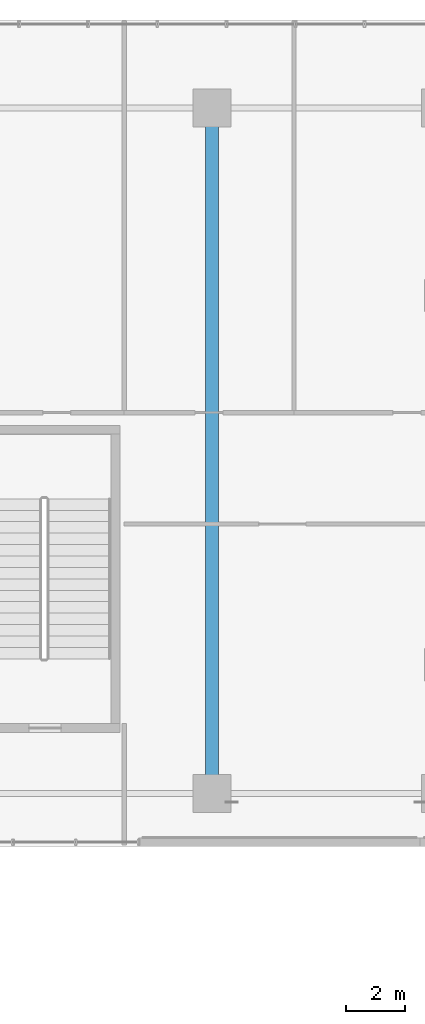
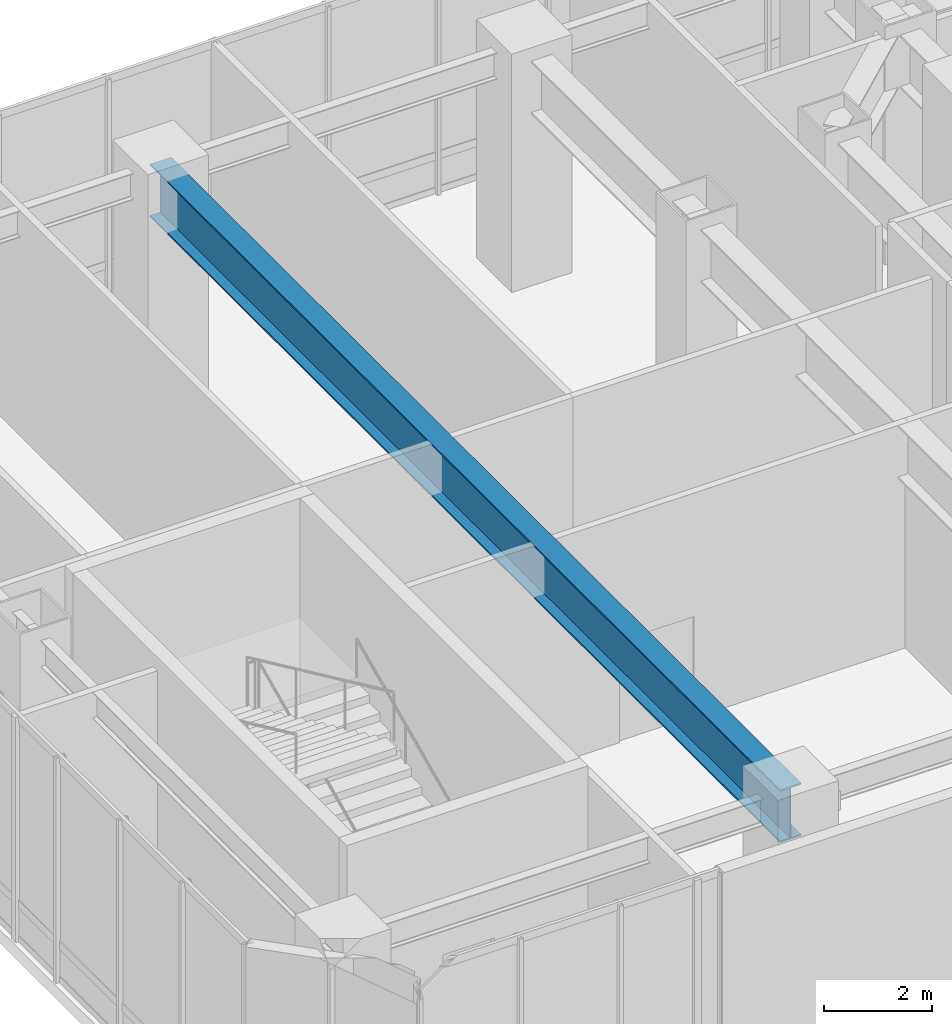
# One storey, part 13 of 35: 1 beam.
"""IFC4 building model written with IfcOpenShell, lengths in metres."""

from ifc_helpers import new_model, si_unit, direction, frame, origin, origin_2d, place, context, subcontext, project, spatial, i_section, extrude, material, material_profile, profile_set, type_object, element, save


model = new_model("IFC4")

# Units and contexts
model_context = context("Model", 3, precision=1e-05, world=origin(), true_north=direction((0.0, 1.0)))
body_context = subcontext(model_context, "Body", "Model", "MODEL_VIEW")
ifc_project = project(units=[si_unit("LENGTHUNIT", "METRE"), si_unit("AREAUNIT", "SQUARE_METRE"), si_unit("VOLUMEUNIT", "CUBIC_METRE"), si_unit("PLANEANGLEUNIT", "RADIAN"), si_unit("MASSUNIT", "GRAM", prefix="KILO")], contexts=[model_context])

# Site, building, storey
site_placement = place(None, origin())
site = spatial("IfcSite", under=ifc_project, at=site_placement, CompositionType="ELEMENT")
building_placement = place(site_placement, origin())
building = spatial("IfcBuilding", under=site, at=building_placement, Name="Hatsunagi Terrace Concourse", CompositionType="ELEMENT")
storey_placement = place(building_placement, frame((0.0, 0.0, 16.199951171875)))
storey = spatial("IfcBuildingStorey", under=building, at=storey_placement, Name="L04", CompositionType="ELEMENT", Elevation=16.199951171875)

# Beam
ifc_material = material(Name="Steel SN490B", Category="steel")
ifc_material_profile = material_profile(ifc_material, i_section(OverallWidth=0.449951171875, OverallDepth=1.199951171875, WebThickness=0.02490234375, FlangeThickness=0.035888671875, at=origin_2d()), Name="BH-1200x450x25x36")
ifc_profile_set = profile_set([ifc_material_profile], Name="Steel SN490B")
beam_type = type_object("IfcBeamType", Name="PodiumHallGirder_BH_1200x450x25x36", PredefinedType="BEAM", material=ifc_profile_set)
beam_placement = place(storey_placement, frame((11.39990234375, 25.199951171875, 4.5), z_axis=(0.0, 1.0, 0.0), x_axis=(-1.0, 0.0, 0.0)))
element("IfcBeam", 1, at=beam_placement, inside=storey, type_object=beam_type, Name="Beam G-01 BM-L04-NS-11-25", PredefinedType="BEAM", context=body_context, shape_type="SweptSolid", body=[
    extrude(i_section(OverallWidth=0.449951171875, OverallDepth=1.199951171875, WebThickness=0.02490234375, FlangeThickness=0.035888671875, at=origin_2d()), origin(), (0.0, 0.0, 1.0), 23.400146484375),
])

save(model, "model.ifc")
